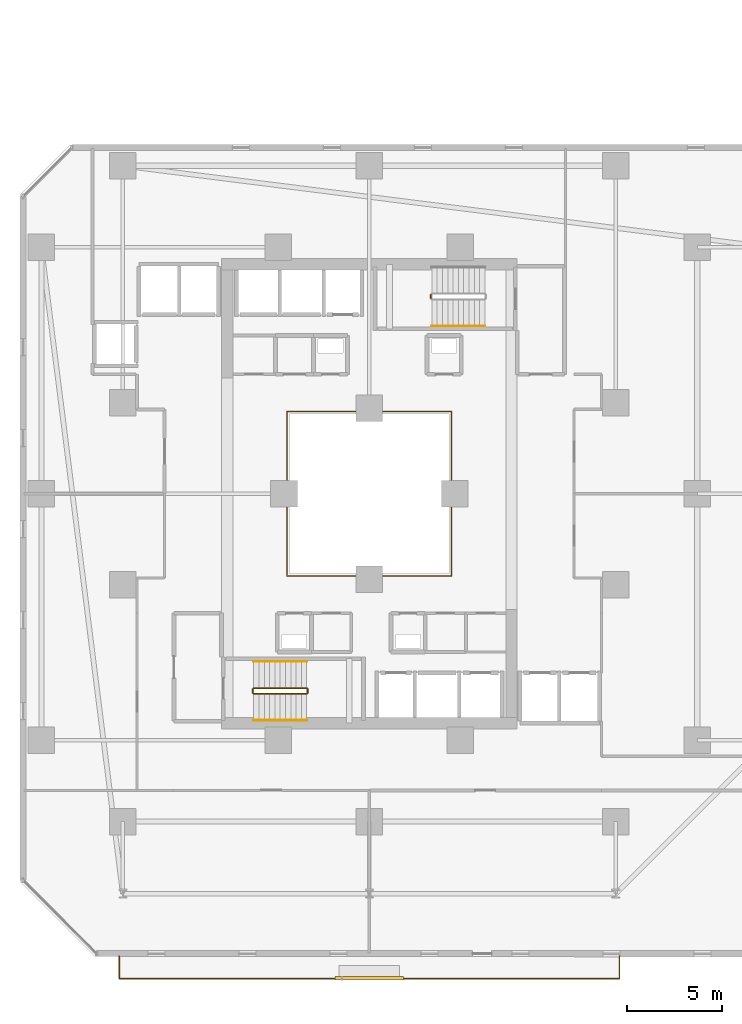
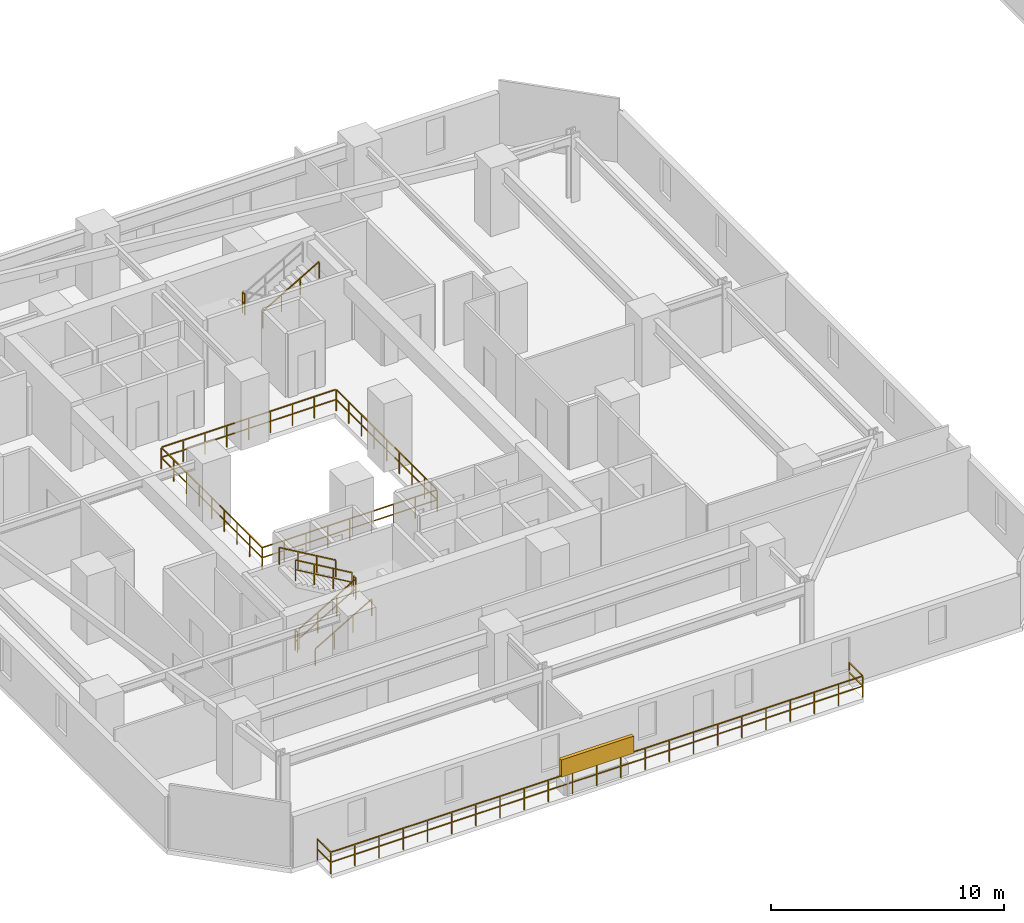
# One storey, part 31 of 34: 10 railings, 1 shading device.
"""IFC4 building model written with IfcOpenShell, lengths in metres."""

import ifcopenshell
import ifcopenshell.guid

model = None  # the IFC model being written
_history = None  # IfcOwnerHistory: only IFC2X3 demands one
_inside = {}  # id of a spatial element -> (the spatial element, [elements in it])
_under = {}  # id of a project, library or spatial element -> (it, [spatial elements below it])
_declared = {}  # id of a project -> (the project, [libraries it declares])
_typed = {}  # id of a type object -> (the type object, [elements of that type])
_made_of = {}  # id of a material, layer set ... -> (it, [elements and type objects made of it])


def new_model(schema):
    """Start an empty IFC model of exactly this schema.

    Asked for "IFC4X3", IfcOpenShell would pick the latest addendum, in which some entities
    have other attributes; the version numbers below select the first issue.
    IFC2X3 requires an IfcOwnerHistory on every rooted entity: one is made here for all.
    """
    global model, _history
    if schema == "IFC4X3":
        model = ifcopenshell.file(schema_version=(4, 3, 0, 0))
    else:
        model = ifcopenshell.file(schema=schema)
    _inside.clear()
    _under.clear()
    _declared.clear()
    _typed.clear()
    _made_of.clear()
    _history = None
    if model.schema == "IFC2X3":
        org = make("IfcOrganization", Name="unknown")
        user = make(
            "IfcPersonAndOrganization",
            ThePerson=make("IfcPerson", FamilyName="unknown"),
            TheOrganization=org,
        )
        app = make(
            "IfcApplication",
            ApplicationDeveloper=org,
            Version="unknown",
            ApplicationFullName="unknown",
            ApplicationIdentifier="unknown",
        )
        _history = make(
            "IfcOwnerHistory",
            OwningUser=user,
            OwningApplication=app,
            ChangeAction="ADDED",
            CreationDate=0,
        )
    return model


def make(cls, **values):
    """One entity of the class cls with the attributes given. An attribute that is None is left unset."""
    return model.create_entity(
        cls, **{name: value for name, value in values.items() if value is not None}
    )


def rooted(cls, **values):
    """An entity with a GlobalId (a new one), such as an element, a storey or a relation."""
    return make(cls, GlobalId=ifcopenshell.guid.new(), OwnerHistory=_history, **values)


def si_unit(unit_type, name, prefix=None):
    """IfcSIUnit, for example si_unit("LENGTHUNIT", "METRE", prefix="MILLI")."""
    return make("IfcSIUnit", UnitType=unit_type, Prefix=prefix, Name=name)


def assignment(units):
    """IfcUnitAssignment: the units of a project."""
    return None if units is None else make("IfcUnitAssignment", Units=units)


def point(xyz):
    """IfcCartesianPoint."""
    return None if xyz is None else make("IfcCartesianPoint", Coordinates=xyz)


def direction(xyz):
    """IfcDirection."""
    return None if xyz is None else make("IfcDirection", DirectionRatios=xyz)


def frame(location, z_axis=None, x_axis=None):
    """IfcAxis2Placement3D, a coordinate frame: its origin and axes. An axis left out is left unset."""
    return make(
        "IfcAxis2Placement3D",
        Location=point(location),
        Axis=direction(z_axis),
        RefDirection=direction(x_axis),
    )


def frame_2d(location, x_axis=None):
    """IfcAxis2Placement2D, a coordinate frame in the plane: its origin and x axis."""
    return make(
        "IfcAxis2Placement2D", Location=point(location), RefDirection=direction(x_axis)
    )


def origin():
    """The frame at (0, 0, 0) with its axes left unset."""
    return frame((0.0, 0.0, 0.0))


def origin_2d():
    """The frame at (0, 0) in the plane with its x axis left unset."""
    return frame_2d((0.0, 0.0))


def place(relative_to, where):
    """IfcLocalPlacement: puts the frame where relative to a parent placement (None: the world)."""
    return make(
        "IfcLocalPlacement", PlacementRelTo=relative_to, RelativePlacement=where
    )


def context(
    kind, dimensions, precision=None, world=None, true_north=None, identifier=None
):
    """IfcGeometricRepresentationContext, for example the 3D "Model" context."""
    return make(
        "IfcGeometricRepresentationContext",
        ContextIdentifier=identifier,
        ContextType=kind,
        CoordinateSpaceDimension=dimensions,
        Precision=precision,
        WorldCoordinateSystem=world,
        TrueNorth=true_north,
    )


def subcontext(parent, identifier, kind, view, scale=None):
    """IfcGeometricRepresentationSubContext, for example "Body" below "Model"."""
    return make(
        "IfcGeometricRepresentationSubContext",
        ContextIdentifier=identifier,
        ContextType=kind,
        ParentContext=parent,
        TargetScale=scale,
        TargetView=view,
    )


def project(units=None, contexts=None):
    """IfcProject with its units and contexts."""
    return rooted(
        "IfcProject",
        Name="project",
        RepresentationContexts=contexts,
        UnitsInContext=assignment(units),
    )


def spatial(cls, under=None, at=None, **own):
    """A site, building, storey or space (cls), placed at a placement, below another one or the project."""
    s = rooted(cls, ObjectPlacement=at, **own)
    if under is not None:
        _under.setdefault(under.id(), (under, []))[1].append(s)
    return s


def profile(cls, at=None, kind="AREA", **sizes):
    """A parametric profile (cls). Its sizes go by their IFC names, for example OverallWidth=200.0."""
    return make(cls, ProfileType=kind, Position=at, **sizes)


def rectangle(**sizes):
    """IfcRectangleProfileDef."""
    return profile("IfcRectangleProfileDef", **sizes)


def extrude(swept, where, along, depth):
    """IfcExtrudedAreaSolid: the profile swept, set in the frame where, extruded along a direction by depth."""
    return make(
        "IfcExtrudedAreaSolid",
        SweptArea=swept,
        Position=where,
        ExtrudedDirection=direction(along),
        Depth=depth,
    )


def shape(context_of_items, identifier, shape_type, items):
    """IfcShapeRepresentation: the items that make up one representation, for example the "Body"."""
    return make(
        "IfcShapeRepresentation",
        ContextOfItems=context_of_items,
        RepresentationIdentifier=identifier,
        RepresentationType=shape_type,
        Items=items,
    )


def material(Name=None, Category=None):
    """IfcMaterial."""
    return make("IfcMaterial", Name=Name, Category=Category)


def made_of(thing, what):
    """Note that an element or type object is made of a material, layer set ...; save() writes the relation."""
    if what is not None:
        _made_of.setdefault(what.id(), (what, []))[1].append(thing)
    return thing


def type_object(cls, material=None, **own):
    """A type object (cls), such as IfcWallType, which elements share."""
    return made_of(rooted(cls, **own), material)


def element(
    cls,
    number,
    at=None,
    inside=None,
    cuts=None,
    type_object=None,
    material=None,
    context=None,
    identifier="Body",
    shape_type=None,
    held_by="IfcProductDefinitionShape",
    body=None,
    shapes=None,
    **own,
):
    """One element of the class cls, such as IfcWall. Its Tag is "e" and its number.

    at: its placement. inside: the storey or other place that contains it. cuts: it is an
    opening in that element (IfcRelVoidsElement). A single representation is given by context,
    identifier, shape_type and body (its items); several are given by shapes. held_by: the class
    of the entity that holds the representations. save() writes the other relations.
    """
    e = rooted(cls, Tag="e%d" % number, ObjectPlacement=at, **own)
    if body is not None:
        shapes = [shape(context, identifier, shape_type, body)]
    if shapes is not None:
        e.Representation = make(held_by, Representations=shapes)
    if inside is not None:
        _inside.setdefault(inside.id(), (inside, []))[1].append(e)
    if cuts is not None:
        rooted(
            "IfcRelVoidsElement", RelatingBuildingElement=cuts, RelatedOpeningElement=e
        )
    if type_object is not None:
        _typed.setdefault(type_object.id(), (type_object, []))[1].append(e)
    return made_of(e, material)


def aggregate(whole, parts):
    """IfcRelAggregates: a whole, such as a stair, and the parts it consists of."""
    return rooted("IfcRelAggregates", RelatingObject=whole, RelatedObjects=parts)


def save(model, path):
    """Write the relations noted so far, then the file.

    IfcRelAggregates (storeys below a building ...), IfcRelContainedInSpatialStructure (elements
    in a storey), IfcRelDefinesByType, IfcRelAssociatesMaterial and IfcRelDeclares: one each for
    every whole, place, type object, material and project.
    """
    for whole, parts in _under.values():
        aggregate(whole, parts)
    for where, things in _inside.values():
        rooted(
            "IfcRelContainedInSpatialStructure",
            RelatedElements=things,
            RelatingStructure=where,
        )
    for kind, things in _typed.values():
        rooted("IfcRelDefinesByType", RelatedObjects=things, RelatingType=kind)
    for what, things in _made_of.values():
        rooted("IfcRelAssociatesMaterial", RelatedObjects=things, RelatingMaterial=what)
    for by, libraries in _declared.values():
        rooted("IfcRelDeclares", RelatingContext=by, RelatedDefinitions=libraries)
    model.write(path)


model = new_model("IFC4")

# Units and contexts
model_context = context("Model", 3, precision=1e-05, world=origin(), true_north=direction((0.0, 1.0)))
body_context = subcontext(model_context, "Body", "Model", "MODEL_VIEW")
ifc_project = project(units=[si_unit("LENGTHUNIT", "METRE"), si_unit("AREAUNIT", "SQUARE_METRE"), si_unit("VOLUMEUNIT", "CUBIC_METRE"), si_unit("PLANEANGLEUNIT", "RADIAN"), si_unit("MASSUNIT", "GRAM", prefix="KILO")], contexts=[model_context])

# Site, building, storey
site_placement = place(None, origin())
site = spatial("IfcSite", under=ifc_project, at=site_placement, CompositionType="ELEMENT")
building_placement = place(site_placement, origin())
building = spatial("IfcBuilding", under=site, at=building_placement, Name="Thornwick Lancets Civic Towers", CompositionType="ELEMENT")
storey_placement = place(building_placement, frame((0.0, 0.0, 53.699951171875)))
storey = spatial("IfcBuildingStorey", under=building, at=storey_placement, Name="L13", CompositionType="ELEMENT", Elevation=53.699951171875)

# Railings
ifc_material_1 = material(Name="Laminated glass and bronze steel S355", Category="steel")
railing_type_1 = type_object("IfcRailingType", Name="RAIL_ATRIUM_GUARD", PredefinedType="BALUSTRADE", material=ifc_material_1)
railing_1_placement = place(storey_placement, frame((21.159912109375, 22.659912109375, 0.0)))
element("IfcRailing", 1, at=railing_1_placement, inside=storey, type_object=railing_type_1, Name="L13 Tower A Central Atrium Guard Balustrade", PredefinedType="BALUSTRADE", context=body_context, shape_type="SweptSolid", body=[
    extrude(rectangle(XDim=0.048095703125, YDim=0.048095703125, at=origin_2d()), frame((0.0, 0.0, 1.1259765625), z_axis=(1.0, 0.0, 0.0), x_axis=(0.0, 1.0, 0.0)), (0.0, 0.0, 1.0), 8.64892578125),
    extrude(rectangle(XDim=0.0419921875, YDim=0.0419921875, at=origin_2d()), frame((0.03759765625, 0.0, 0.597900390625), z_axis=(1.0, 0.0, 0.0), x_axis=(0.0, 1.0, 0.0)), (0.0, 0.0, 1.0), 1.010009765625),
    extrude(rectangle(XDim=0.0419921875, YDim=0.0419921875, at=origin_2d()), frame((1.12255859375, 0.0, 0.597900390625), z_axis=(1.0, 0.0, 0.0), x_axis=(0.0, 1.0, 0.0)), (0.0, 0.0, 1.0), 1.010009765625),
    extrude(rectangle(XDim=0.0419921875, YDim=0.0419921875, at=origin_2d()), frame((2.20751953125, 0.0, 0.597900390625), z_axis=(1.0, 0.0, 0.0), x_axis=(0.0, 1.0, 0.0)), (0.0, 0.0, 1.0), 1.010009765625),
    extrude(rectangle(XDim=0.0419921875, YDim=0.0419921875, at=origin_2d()), frame((3.29248046875, 0.0, 0.597900390625), z_axis=(1.0, 0.0, 0.0), x_axis=(0.0, 1.0, 0.0)), (0.0, 0.0, 1.0), 1.010009765625),
    extrude(rectangle(XDim=0.0419921875, YDim=0.0419921875, at=origin_2d()), frame((4.377685546875, 0.0, 0.597900390625), z_axis=(1.0, 0.0, 0.0), x_axis=(0.0, 1.0, 0.0)), (0.0, 0.0, 1.0), 1.010009765625),
    extrude(rectangle(XDim=0.0419921875, YDim=0.0419921875, at=origin_2d()), frame((5.462646484375, 0.0, 0.597900390625), z_axis=(1.0, 0.0, 0.0), x_axis=(0.0, 1.0, 0.0)), (0.0, 0.0, 1.0), 1.010009765625),
    extrude(rectangle(XDim=0.0419921875, YDim=0.0419921875, at=origin_2d()), frame((6.547607421875, 0.0, 0.597900390625), z_axis=(1.0, 0.0, 0.0), x_axis=(0.0, 1.0, 0.0)), (0.0, 0.0, 1.0), 1.010009765625),
    extrude(rectangle(XDim=0.0419921875, YDim=0.0419921875, at=origin_2d()), frame((7.632568359375, 0.0, 0.597900390625), z_axis=(1.0, 0.0, 0.0), x_axis=(0.0, 1.0, 0.0)), (0.0, 0.0, 1.0), 1.010009765625),
    extrude(rectangle(XDim=0.048095703125, YDim=0.048095703125, at=origin_2d()), frame((8.68017578125, 0.03125, 1.1259765625), z_axis=(0.0, 1.0, 0.0), x_axis=(-1.0, 0.0, 0.0)), (0.0, 0.0, 1.0), 8.61767578125),
    extrude(rectangle(XDim=0.0419921875, YDim=0.0419921875, at=origin_2d()), frame((8.68017578125, 0.03759765625, 0.597900390625), z_axis=(0.0, 1.0, 0.0), x_axis=(-1.0, 0.0, 0.0)), (0.0, 0.0, 1.0), 1.010009765625),
    extrude(rectangle(XDim=0.0419921875, YDim=0.0419921875, at=origin_2d()), frame((8.68017578125, 1.12255859375, 0.597900390625), z_axis=(0.0, 1.0, 0.0), x_axis=(-1.0, 0.0, 0.0)), (0.0, 0.0, 1.0), 1.010009765625),
    extrude(rectangle(XDim=0.0419921875, YDim=0.0419921875, at=origin_2d()), frame((8.68017578125, 2.20751953125, 0.597900390625), z_axis=(0.0, 1.0, 0.0), x_axis=(-1.0, 0.0, 0.0)), (0.0, 0.0, 1.0), 1.010009765625),
    extrude(rectangle(XDim=0.0419921875, YDim=0.0419921875, at=origin_2d()), frame((8.68017578125, 3.29248046875, 0.597900390625), z_axis=(0.0, 1.0, 0.0), x_axis=(-1.0, 0.0, 0.0)), (0.0, 0.0, 1.0), 1.010009765625),
    extrude(rectangle(XDim=0.0419921875, YDim=0.0419921875, at=origin_2d()), frame((8.68017578125, 4.377685546875, 0.597900390625), z_axis=(0.0, 1.0, 0.0), x_axis=(-1.0, 0.0, 0.0)), (0.0, 0.0, 1.0), 1.010009765625),
    extrude(rectangle(XDim=0.0419921875, YDim=0.0419921875, at=origin_2d()), frame((8.68017578125, 5.462646484375, 0.597900390625), z_axis=(0.0, 1.0, 0.0), x_axis=(-1.0, 0.0, 0.0)), (0.0, 0.0, 1.0), 1.010009765625),
    extrude(rectangle(XDim=0.0419921875, YDim=0.0419921875, at=origin_2d()), frame((8.68017578125, 6.547607421875, 0.597900390625), z_axis=(0.0, 1.0, 0.0), x_axis=(-1.0, 0.0, 0.0)), (0.0, 0.0, 1.0), 1.010009765625),
    extrude(rectangle(XDim=0.0419921875, YDim=0.0419921875, at=origin_2d()), frame((8.68017578125, 7.632568359375, 0.597900390625), z_axis=(0.0, 1.0, 0.0), x_axis=(-1.0, 0.0, 0.0)), (0.0, 0.0, 1.0), 1.010009765625),
    extrude(rectangle(XDim=0.048095703125, YDim=0.048095703125, at=origin_2d()), frame((8.64892578125, 8.68017578125, 1.1259765625), z_axis=(-1.0, 0.0, 0.0), x_axis=(0.0, -1.0, 0.0)), (0.0, 0.0, 1.0), 8.61767578125),
    extrude(rectangle(XDim=0.0419921875, YDim=0.0419921875, at=origin_2d()), frame((8.642578125, 8.68017578125, 0.597900390625), z_axis=(-1.0, 0.0, 0.0), x_axis=(0.0, -1.0, 0.0)), (0.0, 0.0, 1.0), 1.010009765625),
    extrude(rectangle(XDim=0.0419921875, YDim=0.0419921875, at=origin_2d()), frame((7.5576171875, 8.68017578125, 0.597900390625), z_axis=(-1.0, 0.0, 0.0), x_axis=(0.0, -1.0, 0.0)), (0.0, 0.0, 1.0), 1.010009765625),
    extrude(rectangle(XDim=0.0419921875, YDim=0.0419921875, at=origin_2d()), frame((6.47265625, 8.68017578125, 0.597900390625), z_axis=(-1.0, 0.0, 0.0), x_axis=(0.0, -1.0, 0.0)), (0.0, 0.0, 1.0), 1.010009765625),
    extrude(rectangle(XDim=0.0419921875, YDim=0.0419921875, at=origin_2d()), frame((5.3876953125, 8.68017578125, 0.597900390625), z_axis=(-1.0, 0.0, 0.0), x_axis=(0.0, -1.0, 0.0)), (0.0, 0.0, 1.0), 1.010009765625),
    extrude(rectangle(XDim=0.0419921875, YDim=0.0419921875, at=origin_2d()), frame((4.302490234375, 8.68017578125, 0.597900390625), z_axis=(-1.0, 0.0, 0.0), x_axis=(0.0, -1.0, 0.0)), (0.0, 0.0, 1.0), 1.010009765625),
    extrude(rectangle(XDim=0.0419921875, YDim=0.0419921875, at=origin_2d()), frame((3.217529296875, 8.68017578125, 0.597900390625), z_axis=(-1.0, 0.0, 0.0), x_axis=(0.0, -1.0, 0.0)), (0.0, 0.0, 1.0), 1.010009765625),
    extrude(rectangle(XDim=0.0419921875, YDim=0.0419921875, at=origin_2d()), frame((2.132568359375, 8.68017578125, 0.597900390625), z_axis=(-1.0, 0.0, 0.0), x_axis=(0.0, -1.0, 0.0)), (0.0, 0.0, 1.0), 1.010009765625),
    extrude(rectangle(XDim=0.0419921875, YDim=0.0419921875, at=origin_2d()), frame((1.047607421875, 8.68017578125, 0.597900390625), z_axis=(-1.0, 0.0, 0.0), x_axis=(0.0, -1.0, 0.0)), (0.0, 0.0, 1.0), 1.010009765625),
    extrude(rectangle(XDim=0.048095703125, YDim=0.048095703125, at=origin_2d()), frame((0.0, 8.64892578125, 1.1259765625), z_axis=(0.0, -1.0, 0.0), x_axis=(1.0, 0.0, 0.0)), (0.0, 0.0, 1.0), 8.64892578125),
    extrude(rectangle(XDim=0.0419921875, YDim=0.0419921875, at=origin_2d()), frame((0.0, 8.642578125, 0.597900390625), z_axis=(0.0, -1.0, 0.0), x_axis=(1.0, 0.0, 0.0)), (0.0, 0.0, 1.0), 1.010009765625),
    extrude(rectangle(XDim=0.0419921875, YDim=0.0419921875, at=origin_2d()), frame((0.0, 7.5576171875, 0.597900390625), z_axis=(0.0, -1.0, 0.0), x_axis=(1.0, 0.0, 0.0)), (0.0, 0.0, 1.0), 1.010009765625),
    extrude(rectangle(XDim=0.0419921875, YDim=0.0419921875, at=origin_2d()), frame((0.0, 6.47265625, 0.597900390625), z_axis=(0.0, -1.0, 0.0), x_axis=(1.0, 0.0, 0.0)), (0.0, 0.0, 1.0), 1.010009765625),
    extrude(rectangle(XDim=0.0419921875, YDim=0.0419921875, at=origin_2d()), frame((0.0, 5.3876953125, 0.597900390625), z_axis=(0.0, -1.0, 0.0), x_axis=(1.0, 0.0, 0.0)), (0.0, 0.0, 1.0), 1.010009765625),
    extrude(rectangle(XDim=0.0419921875, YDim=0.0419921875, at=origin_2d()), frame((0.0, 4.302490234375, 0.597900390625), z_axis=(0.0, -1.0, 0.0), x_axis=(1.0, 0.0, 0.0)), (0.0, 0.0, 1.0), 1.010009765625),
    extrude(rectangle(XDim=0.0419921875, YDim=0.0419921875, at=origin_2d()), frame((0.0, 3.217529296875, 0.597900390625), z_axis=(0.0, -1.0, 0.0), x_axis=(1.0, 0.0, 0.0)), (0.0, 0.0, 1.0), 1.010009765625),
    extrude(rectangle(XDim=0.0419921875, YDim=0.0419921875, at=origin_2d()), frame((0.0, 2.132568359375, 0.597900390625), z_axis=(0.0, -1.0, 0.0), x_axis=(1.0, 0.0, 0.0)), (0.0, 0.0, 1.0), 1.010009765625),
    extrude(rectangle(XDim=0.0419921875, YDim=0.0419921875, at=origin_2d()), frame((0.0, 1.047607421875, 0.597900390625), z_axis=(0.0, -1.0, 0.0), x_axis=(1.0, 0.0, 0.0)), (0.0, 0.0, 1.0), 1.010009765625),
    extrude(rectangle(XDim=0.0419921875, YDim=0.0419921875, at=origin_2d()), origin(), (0.0, 0.0, 1.0), 1.095703125),
    extrude(rectangle(XDim=0.0419921875, YDim=0.0419921875, at=origin_2d()), frame((1.0849609375, 0.0, 0.0)), (0.0, 0.0, 1.0), 1.095703125),
    extrude(rectangle(XDim=0.0419921875, YDim=0.0419921875, at=origin_2d()), frame((2.169921875, 0.0, 0.0)), (0.0, 0.0, 1.0), 1.095703125),
    extrude(rectangle(XDim=0.0419921875, YDim=0.0419921875, at=origin_2d()), frame((3.255126953125, 0.0, 0.0)), (0.0, 0.0, 1.0), 1.095703125),
    extrude(rectangle(XDim=0.0419921875, YDim=0.0419921875, at=origin_2d()), frame((4.340087890625, 0.0, 0.0)), (0.0, 0.0, 1.0), 1.095703125),
    extrude(rectangle(XDim=0.0419921875, YDim=0.0419921875, at=origin_2d()), frame((5.425048828125, 0.0, 0.0)), (0.0, 0.0, 1.0), 1.095703125),
    extrude(rectangle(XDim=0.0419921875, YDim=0.0419921875, at=origin_2d()), frame((6.51025390625, 0.0, 0.0)), (0.0, 0.0, 1.0), 1.095703125),
    extrude(rectangle(XDim=0.0419921875, YDim=0.0419921875, at=origin_2d()), frame((7.59521484375, 0.0, 0.0)), (0.0, 0.0, 1.0), 1.095703125),
    extrude(rectangle(XDim=0.0419921875, YDim=0.0419921875, at=origin_2d()), frame((8.68017578125, 0.0, 0.0)), (0.0, 0.0, 1.0), 1.095703125),
    extrude(rectangle(XDim=0.0419921875, YDim=0.0419921875, at=origin_2d()), frame((8.68017578125, 1.0849609375, 0.0)), (0.0, 0.0, 1.0), 1.095703125),
    extrude(rectangle(XDim=0.0419921875, YDim=0.0419921875, at=origin_2d()), frame((8.68017578125, 2.169921875, 0.0)), (0.0, 0.0, 1.0), 1.095703125),
    extrude(rectangle(XDim=0.0419921875, YDim=0.0419921875, at=origin_2d()), frame((8.68017578125, 3.255126953125, 0.0)), (0.0, 0.0, 1.0), 1.095703125),
    extrude(rectangle(XDim=0.0419921875, YDim=0.0419921875, at=origin_2d()), frame((8.68017578125, 4.340087890625, 0.0)), (0.0, 0.0, 1.0), 1.095703125),
    extrude(rectangle(XDim=0.0419921875, YDim=0.0419921875, at=origin_2d()), frame((8.68017578125, 5.425048828125, 0.0)), (0.0, 0.0, 1.0), 1.095703125),
    extrude(rectangle(XDim=0.0419921875, YDim=0.0419921875, at=origin_2d()), frame((8.68017578125, 6.51025390625, 0.0)), (0.0, 0.0, 1.0), 1.095703125),
    extrude(rectangle(XDim=0.0419921875, YDim=0.0419921875, at=origin_2d()), frame((8.68017578125, 7.59521484375, 0.0)), (0.0, 0.0, 1.0), 1.095703125),
    extrude(rectangle(XDim=0.0419921875, YDim=0.0419921875, at=origin_2d()), frame((8.68017578125, 8.68017578125, 0.0)), (0.0, 0.0, 1.0), 1.095703125),
    extrude(rectangle(XDim=0.0419921875, YDim=0.0419921875, at=origin_2d()), frame((7.59521484375, 8.68017578125, 0.0)), (0.0, 0.0, 1.0), 1.095703125),
    extrude(rectangle(XDim=0.0419921875, YDim=0.0419921875, at=origin_2d()), frame((6.51025390625, 8.68017578125, 0.0)), (0.0, 0.0, 1.0), 1.095703125),
    extrude(rectangle(XDim=0.0419921875, YDim=0.0419921875, at=origin_2d()), frame((5.425048828125, 8.68017578125, 0.0)), (0.0, 0.0, 1.0), 1.095703125),
    extrude(rectangle(XDim=0.0419921875, YDim=0.0419921875, at=origin_2d()), frame((4.340087890625, 8.68017578125, 0.0)), (0.0, 0.0, 1.0), 1.095703125),
    extrude(rectangle(XDim=0.0419921875, YDim=0.0419921875, at=origin_2d()), frame((3.255126953125, 8.68017578125, 0.0)), (0.0, 0.0, 1.0), 1.095703125),
    extrude(rectangle(XDim=0.0419921875, YDim=0.0419921875, at=origin_2d()), frame((2.169921875, 8.68017578125, 0.0)), (0.0, 0.0, 1.0), 1.095703125),
    extrude(rectangle(XDim=0.0419921875, YDim=0.0419921875, at=origin_2d()), frame((1.0849609375, 8.68017578125, 0.0)), (0.0, 0.0, 1.0), 1.095703125),
    extrude(rectangle(XDim=0.0419921875, YDim=0.0419921875, at=origin_2d()), frame((0.0, 8.68017578125, 0.0)), (0.0, 0.0, 1.0), 1.095703125),
    extrude(rectangle(XDim=0.0419921875, YDim=0.0419921875, at=origin_2d()), frame((0.0, 7.59521484375, 0.0)), (0.0, 0.0, 1.0), 1.095703125),
    extrude(rectangle(XDim=0.0419921875, YDim=0.0419921875, at=origin_2d()), frame((0.0, 6.51025390625, 0.0)), (0.0, 0.0, 1.0), 1.095703125),
    extrude(rectangle(XDim=0.0419921875, YDim=0.0419921875, at=origin_2d()), frame((0.0, 5.425048828125, 0.0)), (0.0, 0.0, 1.0), 1.095703125),
    extrude(rectangle(XDim=0.0419921875, YDim=0.0419921875, at=origin_2d()), frame((0.0, 4.340087890625, 0.0)), (0.0, 0.0, 1.0), 1.095703125),
    extrude(rectangle(XDim=0.0419921875, YDim=0.0419921875, at=origin_2d()), frame((0.0, 3.255126953125, 0.0)), (0.0, 0.0, 1.0), 1.095703125),
    extrude(rectangle(XDim=0.0419921875, YDim=0.0419921875, at=origin_2d()), frame((0.0, 2.169921875, 0.0)), (0.0, 0.0, 1.0), 1.095703125),
    extrude(rectangle(XDim=0.0419921875, YDim=0.0419921875, at=origin_2d()), frame((0.0, 1.0849609375, 0.0)), (0.0, 0.0, 1.0), 1.095703125),
])
ifc_material_2 = material(Name="Brushed stainless steel S355", Category="steel")
railing_type_2 = type_object("IfcRailingType", Name="RAIL_HANDRAIL", PredefinedType="HANDRAIL", material=ifc_material_2)
railing_2_placement = place(storey_placement, frame((19.39990234375, 15.050048828125, 0.16357421875)))
element("IfcRailing", 2, at=railing_2_placement, inside=storey, type_object=railing_type_2, Name="L13 ST-A1 stair handrail 1", PredefinedType="HANDRAIL", context=body_context, shape_type="SweptSolid", body=[
    extrude(rectangle(XDim=0.048095703125, YDim=0.048095703125, at=origin_2d()), frame((0.0, 0.0, 0.8857421875), z_axis=(0.863360870873, 0.0, 0.504586966384), x_axis=(0.0, 1.0, 0.0)), (0.0, 0.0, 1.0), 3.2431640625),
    extrude(rectangle(XDim=0.0419921875, YDim=0.0419921875, at=origin_2d()), origin(), (0.0, 0.0, 1.0), 0.855712890625),
    extrude(rectangle(XDim=0.0419921875, YDim=0.0419921875, at=origin_2d()), frame((0.933349609375, 0.0, 0.54541015625)), (0.0, 0.0, 1.0), 0.855712890625),
    extrude(rectangle(XDim=0.0419921875, YDim=0.0419921875, at=origin_2d()), frame((1.86669921875, 0.0, 1.091064453125)), (0.0, 0.0, 1.0), 0.855712890625),
    extrude(rectangle(XDim=0.0419921875, YDim=0.0419921875, at=origin_2d()), frame((2.800048828125, 0.0, 1.636474609375)), (0.0, 0.0, 1.0), 0.855712890625),
])
railing_3_placement = place(storey_placement, frame((22.199951171875, 18.14990234375, 1.963623046875)))
element("IfcRailing", 3, at=railing_3_placement, inside=storey, type_object=railing_type_2, Name="L13 ST-A1 stair handrail 2", PredefinedType="HANDRAIL", context=body_context, shape_type="SweptSolid", body=[
    extrude(rectangle(XDim=0.048095703125, YDim=0.048095703125, at=origin_2d()), frame((0.0, 0.0, 0.8857421875), z_axis=(-0.863360870873, 0.0, 0.504586966384), x_axis=(0.0, -1.0, 0.0)), (0.0, 0.0, 1.0), 3.2431640625),
    extrude(rectangle(XDim=0.0419921875, YDim=0.0419921875, at=origin_2d()), origin(), (0.0, 0.0, 1.0), 0.855712890625),
    extrude(rectangle(XDim=0.0419921875, YDim=0.0419921875, at=origin_2d()), frame((-0.933349609375, 0.0, 0.54541015625)), (0.0, 0.0, 1.0), 0.855712890625),
    extrude(rectangle(XDim=0.0419921875, YDim=0.0419921875, at=origin_2d()), frame((-1.86669921875, 0.0, 1.091064453125)), (0.0, 0.0, 1.0), 0.855712890625),
    extrude(rectangle(XDim=0.0419921875, YDim=0.0419921875, at=origin_2d()), frame((-2.800048828125, 0.0, 1.636474609375)), (0.0, 0.0, 1.0), 0.855712890625),
])
railing_4_placement = place(storey_placement, frame((28.800048828125, 35.85009765625, 1.963623046875)))
element("IfcRailing", 4, at=railing_4_placement, inside=storey, type_object=railing_type_2, Name="L13 ST-A2 stair handrail 2", PredefinedType="HANDRAIL", context=body_context, shape_type="SweptSolid", body=[
    extrude(rectangle(XDim=0.048095703125, YDim=0.048095703125, at=origin_2d()), frame((0.0, 0.0, 0.8857421875), z_axis=(0.863360870873, 0.0, 0.504586966384), x_axis=(0.0, 1.0, 0.0)), (0.0, 0.0, 1.0), 3.2431640625),
    extrude(rectangle(XDim=0.0419921875, YDim=0.0419921875, at=origin_2d()), origin(), (0.0, 0.0, 1.0), 0.855712890625),
    extrude(rectangle(XDim=0.0419921875, YDim=0.0419921875, at=origin_2d()), frame((0.933349609375, 0.0, 0.54541015625)), (0.0, 0.0, 1.0), 0.855712890625),
    extrude(rectangle(XDim=0.0419921875, YDim=0.0419921875, at=origin_2d()), frame((1.86669921875, 0.0, 1.091064453125)), (0.0, 0.0, 1.0), 0.855712890625),
    extrude(rectangle(XDim=0.0419921875, YDim=0.0419921875, at=origin_2d()), frame((2.800048828125, 0.0, 1.636474609375)), (0.0, 0.0, 1.0), 0.855712890625),
])
ifc_material_3 = material(Name="Steel S355JR", Category="steel")
railing_type_3 = type_object("IfcRailingType", Name="RAIL_STAIR_GUARD", PredefinedType="GUARDRAIL", material=ifc_material_3)
railing_5_placement = place(storey_placement, frame((19.39990234375, 16.449951171875, 0.16357421875)))
element("IfcRailing", 5, at=railing_5_placement, inside=storey, type_object=railing_type_3, Name="L13 ST-A1 stair guard 1", PredefinedType="GUARDRAIL", context=body_context, shape_type="SweptSolid", body=[
    extrude(rectangle(XDim=0.048095703125, YDim=0.048095703125, at=origin_2d()), frame((0.0, 0.0, 1.076171875), z_axis=(0.863360870873, 0.0, 0.504586966384), x_axis=(0.0, 1.0, 0.0)), (0.0, 0.0, 1.0), 3.2431640625),
    extrude(rectangle(XDim=0.0419921875, YDim=0.0419921875, at=origin_2d()), frame((0.032470703125, 0.0, 0.591064453125), z_axis=(0.863360870873, 0.0, 0.504586966384), x_axis=(0.0, 1.0, 0.0)), (0.0, 0.0, 1.0), 1.006103515625),
    extrude(rectangle(XDim=0.0419921875, YDim=0.0419921875, at=origin_2d()), frame((0.9658203125, 0.0, 1.136474609375), z_axis=(0.863360870873, 0.0, 0.504586966384), x_axis=(0.0, 1.0, 0.0)), (0.0, 0.0, 1.0), 1.006103515625),
    extrude(rectangle(XDim=0.0419921875, YDim=0.0419921875, at=origin_2d()), frame((1.899169921875, 0.0, 1.681884765625), z_axis=(0.863360870873, 0.0, 0.504586966384), x_axis=(0.0, 1.0, 0.0)), (0.0, 0.0, 1.0), 1.006103515625),
    extrude(rectangle(XDim=0.0419921875, YDim=0.0419921875, at=origin_2d()), origin(), (0.0, 0.0, 1.0), 1.0458984375),
    extrude(rectangle(XDim=0.0419921875, YDim=0.0419921875, at=origin_2d()), frame((0.933349609375, 0.0, 0.54541015625)), (0.0, 0.0, 1.0), 1.0458984375),
    extrude(rectangle(XDim=0.0419921875, YDim=0.0419921875, at=origin_2d()), frame((1.86669921875, 0.0, 1.091064453125)), (0.0, 0.0, 1.0), 1.0458984375),
    extrude(rectangle(XDim=0.0419921875, YDim=0.0419921875, at=origin_2d()), frame((2.800048828125, 0.0, 1.636474609375)), (0.0, 0.0, 1.0), 1.0458984375),
])
railing_6_placement = place(storey_placement, frame((22.25, 16.5, 1.800048828125)))
element("IfcRailing", 6, at=railing_6_placement, inside=storey, type_object=railing_type_3, Name="L13 ST-A1 stair guard 2", PredefinedType="GUARDRAIL", context=body_context, shape_type="SweptSolid", body=[
    extrude(rectangle(XDim=0.048095703125, YDim=0.048095703125, at=origin_2d()), frame((0.0, 0.0, 1.076171875), z_axis=(0.0, 1.0, 0.0), x_axis=(-1.0, 0.0, 0.0)), (0.0, 0.0, 1.0), 0.199951171875),
    extrude(rectangle(XDim=0.0419921875, YDim=0.0419921875, at=origin_2d()), frame((0.0, 0.03759765625, 0.572021484375), z_axis=(0.0, 1.0, 0.0), x_axis=(-1.0, 0.0, 0.0)), (0.0, 0.0, 1.0), 0.125),
    extrude(rectangle(XDim=0.0419921875, YDim=0.0419921875, at=origin_2d()), origin(), (0.0, 0.0, 1.0), 1.0458984375),
    extrude(rectangle(XDim=0.0419921875, YDim=0.0419921875, at=origin_2d()), frame((0.0, 0.199951171875, 0.0)), (0.0, 0.0, 1.0), 1.0458984375),
])
railing_7_placement = place(storey_placement, frame((22.199951171875, 16.75, 1.963623046875)))
element("IfcRailing", 7, at=railing_7_placement, inside=storey, type_object=railing_type_3, Name="L13 ST-A1 stair guard 3", PredefinedType="GUARDRAIL", context=body_context, shape_type="SweptSolid", body=[
    extrude(rectangle(XDim=0.048095703125, YDim=0.048095703125, at=origin_2d()), frame((0.0, 0.0, 1.076171875), z_axis=(-0.863360870873, 0.0, 0.504586966384), x_axis=(0.0, -1.0, 0.0)), (0.0, 0.0, 1.0), 3.2431640625),
    extrude(rectangle(XDim=0.0419921875, YDim=0.0419921875, at=origin_2d()), frame((-0.032470703125, 0.0, 0.591064453125), z_axis=(-0.863360870873, 0.0, 0.504586966384), x_axis=(0.0, -1.0, 0.0)), (0.0, 0.0, 1.0), 1.006103515625),
    extrude(rectangle(XDim=0.0419921875, YDim=0.0419921875, at=origin_2d()), frame((-0.9658203125, 0.0, 1.136474609375), z_axis=(-0.863360870873, 0.0, 0.504586966384), x_axis=(0.0, -1.0, 0.0)), (0.0, 0.0, 1.0), 1.006103515625),
    extrude(rectangle(XDim=0.0419921875, YDim=0.0419921875, at=origin_2d()), frame((-1.899169921875, 0.0, 1.681884765625), z_axis=(-0.863360870873, 0.0, 0.504586966384), x_axis=(0.0, -1.0, 0.0)), (0.0, 0.0, 1.0), 1.006103515625),
    extrude(rectangle(XDim=0.0419921875, YDim=0.0419921875, at=origin_2d()), origin(), (0.0, 0.0, 1.0), 1.0458984375),
    extrude(rectangle(XDim=0.0419921875, YDim=0.0419921875, at=origin_2d()), frame((-0.933349609375, 0.0, 0.54541015625)), (0.0, 0.0, 1.0), 1.0458984375),
    extrude(rectangle(XDim=0.0419921875, YDim=0.0419921875, at=origin_2d()), frame((-1.86669921875, 0.0, 1.091064453125)), (0.0, 0.0, 1.0), 1.0458984375),
    extrude(rectangle(XDim=0.0419921875, YDim=0.0419921875, at=origin_2d()), frame((-2.800048828125, 0.0, 1.636474609375)), (0.0, 0.0, 1.0), 1.0458984375),
])
railing_8_placement = place(storey_placement, frame((19.35009765625, 16.5, 0.0)))
element("IfcRailing", 8, at=railing_8_placement, inside=storey, type_object=railing_type_3, Name="L13 ST-A1 stair guard 4", PredefinedType="GUARDRAIL", context=body_context, shape_type="SweptSolid", body=[
    extrude(rectangle(XDim=0.048095703125, YDim=0.048095703125, at=origin_2d()), frame((0.0, 0.0, 1.076171875), z_axis=(0.0, 1.0, 0.0), x_axis=(-1.0, 0.0, 0.0)), (0.0, 0.0, 1.0), 0.199951171875),
    extrude(rectangle(XDim=0.0419921875, YDim=0.0419921875, at=origin_2d()), frame((0.0, 0.03759765625, 0.572021484375), z_axis=(0.0, 1.0, 0.0), x_axis=(-1.0, 0.0, 0.0)), (0.0, 0.0, 1.0), 0.125),
    extrude(rectangle(XDim=0.0419921875, YDim=0.0419921875, at=origin_2d()), origin(), (0.0, 0.0, 1.0), 1.0458984375),
    extrude(rectangle(XDim=0.0419921875, YDim=0.0419921875, at=origin_2d()), frame((0.0, 0.199951171875, 0.0)), (0.0, 0.0, 1.0), 1.0458984375),
])
railing_9_placement = place(storey_placement, frame((28.75, 37.5, 1.800048828125)))
element("IfcRailing", 9, at=railing_9_placement, inside=storey, type_object=railing_type_3, Name="L13 ST-A2 stair guard 2", PredefinedType="GUARDRAIL", context=body_context, shape_type="SweptSolid", body=[
    extrude(rectangle(XDim=0.048095703125, YDim=0.048095703125, at=origin_2d()), frame((0.0, 0.0, 1.076171875), z_axis=(0.0, -1.0, 0.0), x_axis=(1.0, 0.0, 0.0)), (0.0, 0.0, 1.0), 0.199951171875),
    extrude(rectangle(XDim=0.0419921875, YDim=0.0419921875, at=origin_2d()), frame((0.0, -0.03759765625, 0.572021484375), z_axis=(0.0, -1.0, 0.0), x_axis=(1.0, 0.0, 0.0)), (0.0, 0.0, 1.0), 0.125),
    extrude(rectangle(XDim=0.0419921875, YDim=0.0419921875, at=origin_2d()), origin(), (0.0, 0.0, 1.0), 1.0458984375),
    extrude(rectangle(XDim=0.0419921875, YDim=0.0419921875, at=origin_2d()), frame((0.0, -0.199951171875, 0.0)), (0.0, 0.0, 1.0), 1.0458984375),
])
ifc_material_4 = material(Name="Terracotta-capped laminated glass balustrade S355", Category="masonry")
railing_type_4 = type_object("IfcRailingType", Name="RAIL_TERR_GUARD", PredefinedType="GUARDRAIL", material=ifc_material_4)
railing_10_placement = place(storey_placement, frame((12.300048828125, 2.60009765625, 0.0)))
element("IfcRailing", 10, at=railing_10_placement, inside=storey, type_object=railing_type_4, Name="L13 Tower A Balcony Guard S", PredefinedType="GUARDRAIL", context=body_context, shape_type="SweptSolid", body=[
    extrude(rectangle(XDim=0.048095703125, YDim=0.048095703125, at=origin_2d()), frame((0.0, 0.0, 1.1259765625), z_axis=(0.0, -1.0, 0.0), x_axis=(1.0, 0.0, 0.0)), (0.0, 0.0, 1.0), 1.138916015625),
    extrude(rectangle(XDim=0.0419921875, YDim=0.0419921875, at=origin_2d()), frame((0.0, -0.03759765625, 0.597900390625), z_axis=(0.0, -1.0, 0.0), x_axis=(1.0, 0.0, 0.0)), (0.0, 0.0, 1.0), 1.09521484375),
    extrude(rectangle(XDim=0.048095703125, YDim=0.048095703125, at=origin_2d()), frame((0.03125, -1.170166015625, 1.1259765625), z_axis=(1.0, 0.0, 0.0), x_axis=(0.0, 1.0, 0.0)), (0.0, 0.0, 1.0), 26.33740234375),
    extrude(rectangle(XDim=0.0419921875, YDim=0.0419921875, at=origin_2d()), frame((0.03759765625, -1.170166015625, 0.597900390625), z_axis=(1.0, 0.0, 0.0), x_axis=(0.0, 1.0, 0.0)), (0.0, 0.0, 1.0), 1.125),
    extrude(rectangle(XDim=0.0419921875, YDim=0.0419921875, at=origin_2d()), frame((1.237548828125, -1.170166015625, 0.597900390625), z_axis=(1.0, 0.0, 0.0), x_axis=(0.0, 1.0, 0.0)), (0.0, 0.0, 1.0), 1.125),
    extrude(rectangle(XDim=0.0419921875, YDim=0.0419921875, at=origin_2d()), frame((2.4375, -1.170166015625, 0.597900390625), z_axis=(1.0, 0.0, 0.0), x_axis=(0.0, 1.0, 0.0)), (0.0, 0.0, 1.0), 1.125),
    extrude(rectangle(XDim=0.0419921875, YDim=0.0419921875, at=origin_2d()), frame((3.637451171875, -1.170166015625, 0.597900390625), z_axis=(1.0, 0.0, 0.0), x_axis=(0.0, 1.0, 0.0)), (0.0, 0.0, 1.0), 1.125),
    extrude(rectangle(XDim=0.0419921875, YDim=0.0419921875, at=origin_2d()), frame((4.83740234375, -1.170166015625, 0.597900390625), z_axis=(1.0, 0.0, 0.0), x_axis=(0.0, 1.0, 0.0)), (0.0, 0.0, 1.0), 1.125),
    extrude(rectangle(XDim=0.0419921875, YDim=0.0419921875, at=origin_2d()), frame((6.037353515625, -1.170166015625, 0.597900390625), z_axis=(1.0, 0.0, 0.0), x_axis=(0.0, 1.0, 0.0)), (0.0, 0.0, 1.0), 1.125),
    extrude(rectangle(XDim=0.0419921875, YDim=0.0419921875, at=origin_2d()), frame((7.237548828125, -1.170166015625, 0.597900390625), z_axis=(1.0, 0.0, 0.0), x_axis=(0.0, 1.0, 0.0)), (0.0, 0.0, 1.0), 1.125),
    extrude(rectangle(XDim=0.0419921875, YDim=0.0419921875, at=origin_2d()), frame((8.4375, -1.170166015625, 0.597900390625), z_axis=(1.0, 0.0, 0.0), x_axis=(0.0, 1.0, 0.0)), (0.0, 0.0, 1.0), 1.125),
    extrude(rectangle(XDim=0.0419921875, YDim=0.0419921875, at=origin_2d()), frame((9.637451171875, -1.170166015625, 0.597900390625), z_axis=(1.0, 0.0, 0.0), x_axis=(0.0, 1.0, 0.0)), (0.0, 0.0, 1.0), 1.125),
    extrude(rectangle(XDim=0.0419921875, YDim=0.0419921875, at=origin_2d()), frame((10.83740234375, -1.170166015625, 0.597900390625), z_axis=(1.0, 0.0, 0.0), x_axis=(0.0, 1.0, 0.0)), (0.0, 0.0, 1.0), 1.125),
    extrude(rectangle(XDim=0.0419921875, YDim=0.0419921875, at=origin_2d()), frame((12.037353515625, -1.170166015625, 0.597900390625), z_axis=(1.0, 0.0, 0.0), x_axis=(0.0, 1.0, 0.0)), (0.0, 0.0, 1.0), 1.125),
    extrude(rectangle(XDim=0.0419921875, YDim=0.0419921875, at=origin_2d()), frame((13.237548828125, -1.170166015625, 0.597900390625), z_axis=(1.0, 0.0, 0.0), x_axis=(0.0, 1.0, 0.0)), (0.0, 0.0, 1.0), 1.125),
    extrude(rectangle(XDim=0.0419921875, YDim=0.0419921875, at=origin_2d()), frame((14.4375, -1.170166015625, 0.597900390625), z_axis=(1.0, 0.0, 0.0), x_axis=(0.0, 1.0, 0.0)), (0.0, 0.0, 1.0), 1.125),
    extrude(rectangle(XDim=0.0419921875, YDim=0.0419921875, at=origin_2d()), frame((15.637451171875, -1.170166015625, 0.597900390625), z_axis=(1.0, 0.0, 0.0), x_axis=(0.0, 1.0, 0.0)), (0.0, 0.0, 1.0), 1.125),
    extrude(rectangle(XDim=0.0419921875, YDim=0.0419921875, at=origin_2d()), frame((16.83740234375, -1.170166015625, 0.597900390625), z_axis=(1.0, 0.0, 0.0), x_axis=(0.0, 1.0, 0.0)), (0.0, 0.0, 1.0), 1.125),
    extrude(rectangle(XDim=0.0419921875, YDim=0.0419921875, at=origin_2d()), frame((18.037353515625, -1.170166015625, 0.597900390625), z_axis=(1.0, 0.0, 0.0), x_axis=(0.0, 1.0, 0.0)), (0.0, 0.0, 1.0), 1.125),
    extrude(rectangle(XDim=0.0419921875, YDim=0.0419921875, at=origin_2d()), frame((19.2373046875, -1.170166015625, 0.597900390625), z_axis=(1.0, 0.0, 0.0), x_axis=(0.0, 1.0, 0.0)), (0.0, 0.0, 1.0), 1.125),
    extrude(rectangle(XDim=0.0419921875, YDim=0.0419921875, at=origin_2d()), frame((20.4375, -1.170166015625, 0.597900390625), z_axis=(1.0, 0.0, 0.0), x_axis=(0.0, 1.0, 0.0)), (0.0, 0.0, 1.0), 1.125),
    extrude(rectangle(XDim=0.0419921875, YDim=0.0419921875, at=origin_2d()), frame((21.637451171875, -1.170166015625, 0.597900390625), z_axis=(1.0, 0.0, 0.0), x_axis=(0.0, 1.0, 0.0)), (0.0, 0.0, 1.0), 1.125),
    extrude(rectangle(XDim=0.0419921875, YDim=0.0419921875, at=origin_2d()), frame((22.83740234375, -1.170166015625, 0.597900390625), z_axis=(1.0, 0.0, 0.0), x_axis=(0.0, 1.0, 0.0)), (0.0, 0.0, 1.0), 1.125),
    extrude(rectangle(XDim=0.0419921875, YDim=0.0419921875, at=origin_2d()), frame((24.037353515625, -1.170166015625, 0.597900390625), z_axis=(1.0, 0.0, 0.0), x_axis=(0.0, 1.0, 0.0)), (0.0, 0.0, 1.0), 1.125),
    extrude(rectangle(XDim=0.0419921875, YDim=0.0419921875, at=origin_2d()), frame((25.2373046875, -1.170166015625, 0.597900390625), z_axis=(1.0, 0.0, 0.0), x_axis=(0.0, 1.0, 0.0)), (0.0, 0.0, 1.0), 1.125),
    extrude(rectangle(XDim=0.048095703125, YDim=0.048095703125, at=origin_2d()), frame((26.39990234375, -1.138916015625, 1.1259765625), z_axis=(0.0, 1.0, 0.0), x_axis=(-1.0, 0.0, 0.0)), (0.0, 0.0, 1.0), 1.138916015625),
    extrude(rectangle(XDim=0.0419921875, YDim=0.0419921875, at=origin_2d()), frame((26.39990234375, -1.132568359375, 0.597900390625), z_axis=(0.0, 1.0, 0.0), x_axis=(-1.0, 0.0, 0.0)), (0.0, 0.0, 1.0), 1.09521484375),
    extrude(rectangle(XDim=0.0419921875, YDim=0.0419921875, at=origin_2d()), origin(), (0.0, 0.0, 1.0), 1.095703125),
    extrude(rectangle(XDim=0.0419921875, YDim=0.0419921875, at=origin_2d()), frame((0.0, -1.170166015625, 0.0)), (0.0, 0.0, 1.0), 1.095703125),
    extrude(rectangle(XDim=0.0419921875, YDim=0.0419921875, at=origin_2d()), frame((1.199951171875, -1.170166015625, 0.0)), (0.0, 0.0, 1.0), 1.095703125),
    extrude(rectangle(XDim=0.0419921875, YDim=0.0419921875, at=origin_2d()), frame((2.39990234375, -1.170166015625, 0.0)), (0.0, 0.0, 1.0), 1.095703125),
    extrude(rectangle(XDim=0.0419921875, YDim=0.0419921875, at=origin_2d()), frame((3.60009765625, -1.170166015625, 0.0)), (0.0, 0.0, 1.0), 1.095703125),
    extrude(rectangle(XDim=0.0419921875, YDim=0.0419921875, at=origin_2d()), frame((4.800048828125, -1.170166015625, 0.0)), (0.0, 0.0, 1.0), 1.095703125),
    extrude(rectangle(XDim=0.0419921875, YDim=0.0419921875, at=origin_2d()), frame((6.0, -1.170166015625, 0.0)), (0.0, 0.0, 1.0), 1.095703125),
    extrude(rectangle(XDim=0.0419921875, YDim=0.0419921875, at=origin_2d()), frame((7.199951171875, -1.170166015625, 0.0)), (0.0, 0.0, 1.0), 1.095703125),
    extrude(rectangle(XDim=0.0419921875, YDim=0.0419921875, at=origin_2d()), frame((8.39990234375, -1.170166015625, 0.0)), (0.0, 0.0, 1.0), 1.095703125),
    extrude(rectangle(XDim=0.0419921875, YDim=0.0419921875, at=origin_2d()), frame((9.599853515625, -1.170166015625, 0.0)), (0.0, 0.0, 1.0), 1.095703125),
    extrude(rectangle(XDim=0.0419921875, YDim=0.0419921875, at=origin_2d()), frame((10.800048828125, -1.170166015625, 0.0)), (0.0, 0.0, 1.0), 1.095703125),
    extrude(rectangle(XDim=0.0419921875, YDim=0.0419921875, at=origin_2d()), frame((12.0, -1.170166015625, 0.0)), (0.0, 0.0, 1.0), 1.095703125),
    extrude(rectangle(XDim=0.0419921875, YDim=0.0419921875, at=origin_2d()), frame((13.199951171875, -1.170166015625, 0.0)), (0.0, 0.0, 1.0), 1.095703125),
    extrude(rectangle(XDim=0.0419921875, YDim=0.0419921875, at=origin_2d()), frame((14.39990234375, -1.170166015625, 0.0)), (0.0, 0.0, 1.0), 1.095703125),
    extrude(rectangle(XDim=0.0419921875, YDim=0.0419921875, at=origin_2d()), frame((15.599853515625, -1.170166015625, 0.0)), (0.0, 0.0, 1.0), 1.095703125),
    extrude(rectangle(XDim=0.0419921875, YDim=0.0419921875, at=origin_2d()), frame((16.800048828125, -1.170166015625, 0.0)), (0.0, 0.0, 1.0), 1.095703125),
    extrude(rectangle(XDim=0.0419921875, YDim=0.0419921875, at=origin_2d()), frame((18.0, -1.170166015625, 0.0)), (0.0, 0.0, 1.0), 1.095703125),
    extrude(rectangle(XDim=0.0419921875, YDim=0.0419921875, at=origin_2d()), frame((19.199951171875, -1.170166015625, 0.0)), (0.0, 0.0, 1.0), 1.095703125),
    extrude(rectangle(XDim=0.0419921875, YDim=0.0419921875, at=origin_2d()), frame((20.39990234375, -1.170166015625, 0.0)), (0.0, 0.0, 1.0), 1.095703125),
    extrude(rectangle(XDim=0.0419921875, YDim=0.0419921875, at=origin_2d()), frame((21.599853515625, -1.170166015625, 0.0)), (0.0, 0.0, 1.0), 1.095703125),
    extrude(rectangle(XDim=0.0419921875, YDim=0.0419921875, at=origin_2d()), frame((22.7998046875, -1.170166015625, 0.0)), (0.0, 0.0, 1.0), 1.095703125),
    extrude(rectangle(XDim=0.0419921875, YDim=0.0419921875, at=origin_2d()), frame((24.0, -1.170166015625, 0.0)), (0.0, 0.0, 1.0), 1.095703125),
    extrude(rectangle(XDim=0.0419921875, YDim=0.0419921875, at=origin_2d()), frame((25.199951171875, -1.170166015625, 0.0)), (0.0, 0.0, 1.0), 1.095703125),
    extrude(rectangle(XDim=0.0419921875, YDim=0.0419921875, at=origin_2d()), frame((26.39990234375, -1.170166015625, 0.0)), (0.0, 0.0, 1.0), 1.095703125),
    extrude(rectangle(XDim=0.0419921875, YDim=0.0419921875, at=origin_2d()), frame((26.39990234375, 0.0, 0.0)), (0.0, 0.0, 1.0), 1.095703125),
])

# Shading device
ifc_material_5 = material(Name="Extruded terracotta baguette solar screen", Category="masonry")
shading_device_type = type_object("IfcShadingDeviceType", Name="SHADE_BAGUETTE", PredefinedType="JALOUSIE", material=ifc_material_5)
shading_device_placement = place(storey_placement, frame((25.5, 1.43994140625, 1.1201171875), z_axis=(0.0, 0.0, 1.0), x_axis=(1.0, 0.0, 0.0)))
element("IfcShadingDevice", 11, at=shading_device_placement, inside=storey, type_object=shading_device_type, Name="L13 Tower A Terracotta Baguette Screen S", PredefinedType="JALOUSIE", context=body_context, shape_type="SweptSolid", body=[
    extrude(rectangle(XDim=3.60009765625, YDim=0.179931640625, at=origin_2d()), origin(), (0.0, 0.0, 1.0), 0.89990234375),
])

save(model, "model.ifc")
